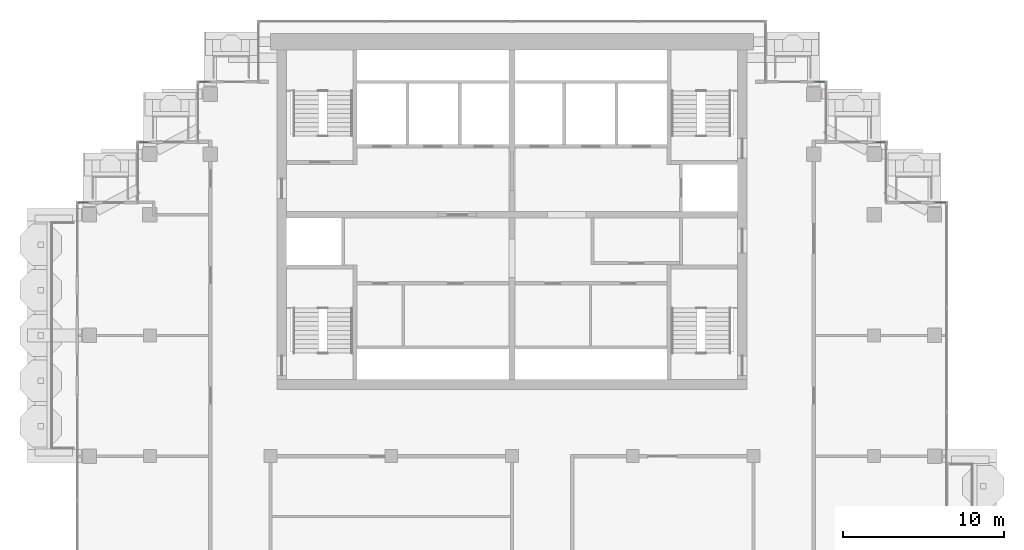
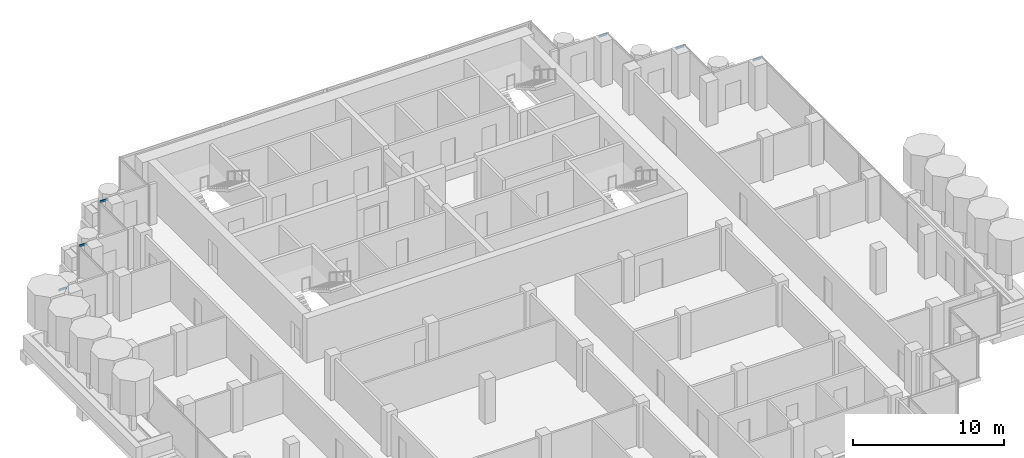
# One storey, part 7 of 18: 6 members, 6 elements without a shape of their own.
"""IFC4 building model written with IfcOpenShell, lengths in metres."""

from ifc_helpers import new_model, si_unit, direction, frame, origin, origin_2d, place, context, subcontext, project, spatial, rectangle, extrude, material, material_profile, profile_set, type_object, element, aggregate, save


model = new_model("IFC4")

# Units and contexts
model_context = context("Model", 3, precision=1e-05, world=origin(), true_north=direction((0.0, 1.0)))
body_context = subcontext(model_context, "Body", "Model", "MODEL_VIEW")
ifc_project = project(units=[si_unit("LENGTHUNIT", "METRE"), si_unit("AREAUNIT", "SQUARE_METRE"), si_unit("VOLUMEUNIT", "CUBIC_METRE"), si_unit("PLANEANGLEUNIT", "RADIAN"), si_unit("MASSUNIT", "GRAM", prefix="KILO")], contexts=[model_context])

# Site, building, storey
site_placement = place(None, origin())
site = spatial("IfcSite", under=ifc_project, at=site_placement, CompositionType="ELEMENT")
building_placement = place(site_placement, origin())
building = spatial("IfcBuilding", under=site, at=building_placement, Name="Pilkhan Gate Tower", CompositionType="ELEMENT")
storey_placement = place(building_placement, frame((0.0, 0.0, 228.300048828125)))
storey = spatial("IfcBuildingStorey", under=building, at=storey_placement, Name="L59", CompositionType="ELEMENT", Elevation=228.300048828125)

# Curtain wall, member
ifc_material_1 = material(Name="Pale anodised aluminium, clear low-iron double glazing", Category="aluminium")
curtain_wall_type = type_object("IfcCurtainWallType", Name="Office unitised curtain wall CW-O2", PredefinedType="USERDEFINED", material=ifc_material_1)
curtain_wall_1_placement = place(storey_placement, origin())
curtain_wall_1 = element("IfcCurtainWall", 1, at=curtain_wall_1_placement, inside=storey, type_object=curtain_wall_type, Name="Office unitised curtain wall CW-O2 L59 N", ObjectType="UNITISED CURTAIN WALL", PredefinedType="USERDEFINED")
ifc_material_2 = material(Name="Pale anodised aluminium", Category="aluminium")
ifc_material_profile = material_profile(ifc_material_2, rectangle(XDim=0.06494140625, YDim=0.1650390625, at=origin_2d()), Name="Transom 165x65")
ifc_profile_set = profile_set([ifc_material_profile], Name="Pale anodised aluminium")
member_type = type_object("IfcMemberType", Name="Transom CW-O2 165x65", PredefinedType="USERDEFINED", material=ifc_profile_set)
member_1_placement = place(storey_placement, frame((101.31494140625, 83.25, 3.217529296875), z_axis=(1.0, 0.0, 0.0), x_axis=(0.0, 1.0, 0.0)))
member_1 = element("IfcMember", 2, at=member_1_placement, type_object=member_type, Name="CW-O2 transom 1", ObjectType="TRANSOM", PredefinedType="USERDEFINED", context=body_context, shape_type="SweptSolid", body=[
    extrude(rectangle(XDim=0.06494140625, YDim=0.1650390625, at=origin_2d()), origin(), (0.0, 0.0, 1.0), 0.6201171875),
])
aggregate(curtain_wall_1, [member_1])

curtain_wall_2_placement = place(storey_placement, origin())
curtain_wall_2 = element("IfcCurtainWall", 3, at=curtain_wall_2_placement, inside=storey, type_object=curtain_wall_type, Name="Office unitised curtain wall CW-O2 L59 N", ObjectType="UNITISED CURTAIN WALL", PredefinedType="USERDEFINED")
member_2_placement = place(storey_placement, frame((97.56494140625, 87.0, 3.217529296875), z_axis=(1.0, 0.0, 0.0), x_axis=(0.0, 1.0, 0.0)))
member_2 = element("IfcMember", 4, at=member_2_placement, type_object=member_type, Name="CW-O2 transom 1", ObjectType="TRANSOM", PredefinedType="USERDEFINED", context=body_context, shape_type="SweptSolid", body=[
    extrude(rectangle(XDim=0.06494140625, YDim=0.1650390625, at=origin_2d()), origin(), (0.0, 0.0, 1.0), 0.6201171875),
])
aggregate(curtain_wall_2, [member_2])

curtain_wall_3_placement = place(storey_placement, origin())
curtain_wall_3 = element("IfcCurtainWall", 5, at=curtain_wall_3_placement, inside=storey, type_object=curtain_wall_type, Name="Office unitised curtain wall CW-O2 L59 N", ObjectType="UNITISED CURTAIN WALL", PredefinedType="USERDEFINED")
member_3_placement = place(storey_placement, frame((93.81494140625, 90.75, 3.217529296875), z_axis=(1.0, 0.0, 0.0), x_axis=(0.0, 1.0, 0.0)))
member_3 = element("IfcMember", 6, at=member_3_placement, type_object=member_type, Name="CW-O2 transom 1", ObjectType="TRANSOM", PredefinedType="USERDEFINED", context=body_context, shape_type="SweptSolid", body=[
    extrude(rectangle(XDim=0.06494140625, YDim=0.1650390625, at=origin_2d()), origin(), (0.0, 0.0, 1.0), 0.6201171875),
])
aggregate(curtain_wall_3, [member_3])

curtain_wall_4_placement = place(storey_placement, origin())
curtain_wall_4 = element("IfcCurtainWall", 7, at=curtain_wall_4_placement, inside=storey, type_object=curtain_wall_type, Name="Office unitised curtain wall CW-O2 L59 N", ObjectType="UNITISED CURTAIN WALL", PredefinedType="USERDEFINED")
member_4_placement = place(storey_placement, frame((55.56494140625, 90.75, 3.217529296875), z_axis=(1.0, 0.0, 0.0), x_axis=(0.0, 1.0, 0.0)))
member_4 = element("IfcMember", 8, at=member_4_placement, type_object=member_type, Name="CW-O2 transom 1", ObjectType="TRANSOM", PredefinedType="USERDEFINED", context=body_context, shape_type="SweptSolid", body=[
    extrude(rectangle(XDim=0.06494140625, YDim=0.1650390625, at=origin_2d()), origin(), (0.0, 0.0, 1.0), 0.6201171875),
])
aggregate(curtain_wall_4, [member_4])

curtain_wall_5_placement = place(storey_placement, origin())
curtain_wall_5 = element("IfcCurtainWall", 9, at=curtain_wall_5_placement, inside=storey, type_object=curtain_wall_type, Name="Office unitised curtain wall CW-O2 L59 N", ObjectType="UNITISED CURTAIN WALL", PredefinedType="USERDEFINED")
member_5_placement = place(storey_placement, frame((51.81494140625, 87.0, 3.217529296875), z_axis=(1.0, 0.0, 0.0), x_axis=(0.0, 1.0, 0.0)))
member_5 = element("IfcMember", 10, at=member_5_placement, type_object=member_type, Name="CW-O2 transom 1", ObjectType="TRANSOM", PredefinedType="USERDEFINED", context=body_context, shape_type="SweptSolid", body=[
    extrude(rectangle(XDim=0.06494140625, YDim=0.1650390625, at=origin_2d()), origin(), (0.0, 0.0, 1.0), 0.6201171875),
])
aggregate(curtain_wall_5, [member_5])

curtain_wall_6_placement = place(storey_placement, origin())
curtain_wall_6 = element("IfcCurtainWall", 11, at=curtain_wall_6_placement, inside=storey, type_object=curtain_wall_type, Name="Office unitised curtain wall CW-O2 L59 N", ObjectType="UNITISED CURTAIN WALL", PredefinedType="USERDEFINED")
member_6_placement = place(storey_placement, frame((48.06494140625, 83.25, 3.217529296875), z_axis=(1.0, 0.0, 0.0), x_axis=(0.0, 1.0, 0.0)))
member_6 = element("IfcMember", 12, at=member_6_placement, type_object=member_type, Name="CW-O2 transom 1", ObjectType="TRANSOM", PredefinedType="USERDEFINED", context=body_context, shape_type="SweptSolid", body=[
    extrude(rectangle(XDim=0.06494140625, YDim=0.1650390625, at=origin_2d()), origin(), (0.0, 0.0, 1.0), 0.6201171875),
])
aggregate(curtain_wall_6, [member_6])

save(model, "model.ifc")
